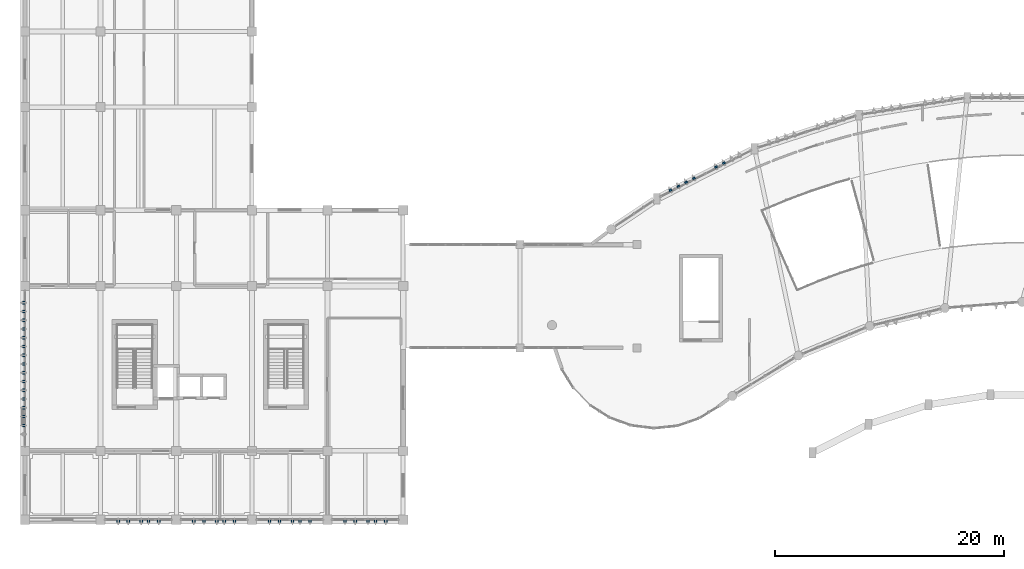
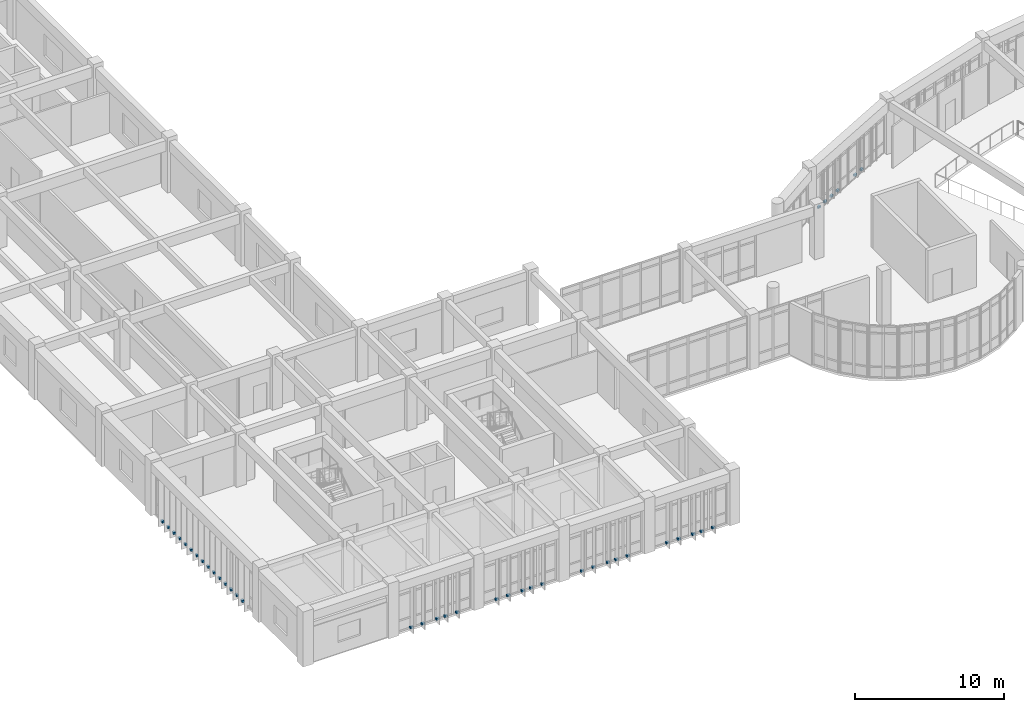
# One storey, part 48 of 54: 41 discrete accessories.
"""IFC4 building model written with IfcOpenShell, lengths in metres."""

from ifc_helpers import new_model, si_unit, direction, frame, origin, origin_2d, place, context, subcontext, project, spatial, rectangle, extrude, material, type_object, element, save


model = new_model("IFC4")

# Units and contexts
model_context = context("Model", 3, precision=1e-05, world=origin(), true_north=direction((0.0, 1.0)))
body_context = subcontext(model_context, "Body", "Model", "MODEL_VIEW")
ifc_project = project(units=[si_unit("LENGTHUNIT", "METRE"), si_unit("AREAUNIT", "SQUARE_METRE"), si_unit("VOLUMEUNIT", "CUBIC_METRE"), si_unit("PLANEANGLEUNIT", "RADIAN"), si_unit("MASSUNIT", "GRAM", prefix="KILO")], contexts=[model_context])

# Site, building, storey
site_placement = place(None, origin())
site = spatial("IfcSite", under=ifc_project, at=site_placement, CompositionType="ELEMENT")
building_placement = place(site_placement, origin())
building = spatial("IfcBuilding", under=site, at=building_placement, Name="Miralva Faculty of Natural Sciences", CompositionType="ELEMENT")
storey_placement = place(building_placement, frame((0.0, 0.0, 19.5)))
storey = spatial("IfcBuildingStorey", under=building, at=storey_placement, Name="L04", CompositionType="ELEMENT", Elevation=19.5)

# Discrete accessories
ifc_material = material(Name="Steel S355", Category="steel")
discrete_accessory_type = type_object("IfcDiscreteAccessoryType", Name="ACC-BRK01", PredefinedType="BRACKET", material=ifc_material)
for number, where, z_axis, x_axis, name in (
    (1, (59.319580078125, 31.753173828125, 0.0400390625), (0.0, 0.0, 1.0), (-0.45399049974, 0.891006524188, 0.0), "Solar fin bracket L04-133"),
    (2, (60.003662109375, 32.1015625, 0.0400390625), (0.0, 0.0, 1.0), (-0.45399049974, 0.891006524188, 0.0), "Solar fin bracket L04-134"),
    (3, (60.6875, 32.4501953125, 0.0400390625), (0.0, 0.0, 1.0), (-0.45399049974, 0.891006524188, 0.0), "Solar fin bracket L04-135"),
    (4, (61.37158203125, 32.798583984375, 0.0400390625), (0.0, 0.0, 1.0), (-0.45399049974, 0.891006524188, 0.0), "Solar fin bracket L04-136"),
    (5, (63.29931640625, 33.781005859375, 0.0400390625), (0.0, 0.0, 1.0), (-0.45399049974, 0.891006524188, 0.0), "Solar fin bracket L04-137"),
    (6, (63.984375, 34.1298828125, 0.0400390625), (0.0, 0.0, 1.0), (-0.45399049974, 0.891006524188, 0.0), "Solar fin bracket L04-138"),
    (7, (11.1279296875, 2.8798828125, 0.0400390625), (0.0, 0.0, 1.0), (0.0, -1.0, 0.0), "Solar fin bracket L04-297"),
    (8, (12.013916015625, 2.8798828125, 0.0400390625), (0.0, 0.0, 1.0), (0.0, -1.0, 0.0), "Solar fin bracket L04-298"),
    (9, (13.139892578125, 2.8798828125, 0.0400390625), (0.0, 0.0, 1.0), (0.0, -1.0, 0.0), "Solar fin bracket L04-299"),
    (10, (13.785888671875, 2.8798828125, 0.0400390625), (0.0, 0.0, 1.0), (0.0, -1.0, 0.0), "Solar fin bracket L04-300"),
    (11, (14.672119140625, 2.8798828125, 0.0400390625), (0.0, 0.0, 1.0), (0.0, -1.0, 0.0), "Solar fin bracket L04-301"),
    (12, (17.72802734375, 2.8798828125, 0.0400390625), (0.0, 0.0, 1.0), (0.0, -1.0, 0.0), "Solar fin bracket L04-302"),
    (13, (18.614013671875, 2.8798828125, 0.0400390625), (0.0, 0.0, 1.0), (0.0, -1.0, 0.0), "Solar fin bracket L04-303"),
    (14, (19.739990234375, 2.8798828125, 0.0400390625), (0.0, 0.0, 1.0), (0.0, -1.0, 0.0), "Solar fin bracket L04-304"),
    (15, (20.385986328125, 2.8798828125, 0.0400390625), (0.0, 0.0, 1.0), (0.0, -1.0, 0.0), "Solar fin bracket L04-305"),
    (16, (21.27197265625, 2.8798828125, 0.0400390625), (0.0, 0.0, 1.0), (0.0, -1.0, 0.0), "Solar fin bracket L04-306"),
    (17, (24.327880859375, 2.8798828125, 0.0400390625), (0.0, 0.0, 1.0), (0.0, -1.0, 0.0), "Solar fin bracket L04-307"),
    (18, (25.214111328125, 2.8798828125, 0.0400390625), (0.0, 0.0, 1.0), (0.0, -1.0, 0.0), "Solar fin bracket L04-308"),
    (19, (26.340087890625, 2.8798828125, 0.0400390625), (0.0, 0.0, 1.0), (0.0, -1.0, 0.0), "Solar fin bracket L04-309"),
    (20, (26.986083984375, 2.8798828125, 0.0400390625), (0.0, 0.0, 1.0), (0.0, -1.0, 0.0), "Solar fin bracket L04-310"),
    (21, (27.8720703125, 2.8798828125, 0.0400390625), (0.0, 0.0, 1.0), (0.0, -1.0, 0.0), "Solar fin bracket L04-311"),
    (22, (30.927978515625, 2.8798828125, 0.0400390625), (0.0, 0.0, 1.0), (0.0, -1.0, 0.0), "Solar fin bracket L04-312"),
    (23, (31.81396484375, 2.8798828125, 0.0400390625), (0.0, 0.0, 1.0), (0.0, -1.0, 0.0), "Solar fin bracket L04-313"),
    (24, (32.93994140625, 2.8798828125, 0.0400390625), (0.0, 0.0, 1.0), (0.0, -1.0, 0.0), "Solar fin bracket L04-314"),
    (25, (33.5859375, 2.8798828125, 0.0400390625), (0.0, 0.0, 1.0), (0.0, -1.0, 0.0), "Solar fin bracket L04-315"),
    (26, (34.471923828125, 2.8798828125, 0.0400390625), (0.0, 0.0, 1.0), (0.0, -1.0, 0.0), "Solar fin bracket L04-316"),
    (27, (2.8798828125, 11.231689453125, 0.0400390625), (0.0, 0.0, 1.0), (-1.0, 0.0, 0.0), "Solar fin bracket L04-318"),
    (28, (2.8798828125, 11.995849609375, 0.0400390625), (0.0, 0.0, 1.0), (-1.0, 0.0, 0.0), "Solar fin bracket L04-319"),
    (29, (2.8798828125, 12.76025390625, 0.0400390625), (0.0, 0.0, 1.0), (-1.0, 0.0, 0.0), "Solar fin bracket L04-320"),
    (30, (2.8798828125, 13.524658203125, 0.0400390625), (0.0, 0.0, 1.0), (-1.0, 0.0, 0.0), "Solar fin bracket L04-321"),
    (31, (2.8798828125, 14.2890625, 0.0400390625), (0.0, 0.0, 1.0), (-1.0, 0.0, 0.0), "Solar fin bracket L04-322"),
    (32, (2.8798828125, 15.053466796875, 0.0400390625), (0.0, 0.0, 1.0), (-1.0, 0.0, 0.0), "Solar fin bracket L04-323"),
    (33, (2.8798828125, 15.81787109375, 0.0400390625), (0.0, 0.0, 1.0), (-1.0, 0.0, 0.0), "Solar fin bracket L04-324"),
    (34, (2.8798828125, 16.582275390625, 0.0400390625), (0.0, 0.0, 1.0), (-1.0, 0.0, 0.0), "Solar fin bracket L04-325"),
    (35, (2.8798828125, 17.3466796875, 0.0400390625), (0.0, 0.0, 1.0), (-1.0, 0.0, 0.0), "Solar fin bracket L04-326"),
    (36, (2.8798828125, 18.11083984375, 0.0400390625), (0.0, 0.0, 1.0), (-1.0, 0.0, 0.0), "Solar fin bracket L04-327"),
    (37, (2.8798828125, 18.875244140625, 0.0400390625), (0.0, 0.0, 1.0), (-1.0, 0.0, 0.0), "Solar fin bracket L04-328"),
    (38, (2.8798828125, 19.6396484375, 0.0400390625), (0.0, 0.0, 1.0), (-1.0, 0.0, 0.0), "Solar fin bracket L04-329"),
    (39, (2.8798828125, 20.404052734375, 0.0400390625), (0.0, 0.0, 1.0), (-1.0, 0.0, 0.0), "Solar fin bracket L04-330"),
    (40, (2.8798828125, 21.16845703125, 0.0400390625), (0.0, 0.0, 1.0), (-1.0, 0.0, 0.0), "Solar fin bracket L04-331"),
    (41, (2.8798828125, 21.932861328125, 0.0400390625), (0.0, 0.0, 1.0), (-1.0, 0.0, 0.0), "Solar fin bracket L04-332"),
):
    element("IfcDiscreteAccessory", number, at=place(storey_placement, frame(where, z_axis=z_axis, x_axis=x_axis)), inside=storey, type_object=discrete_accessory_type, Name=name, PredefinedType="BRACKET", context=body_context, shape_type="SweptSolid", body=[
        extrude(rectangle(XDim=0.159912109375, YDim=0.239990234375, at=origin_2d()), origin(), (0.0, 0.0, 1.0), 0.159912109375),
    ])

save(model, "model.ifc")
